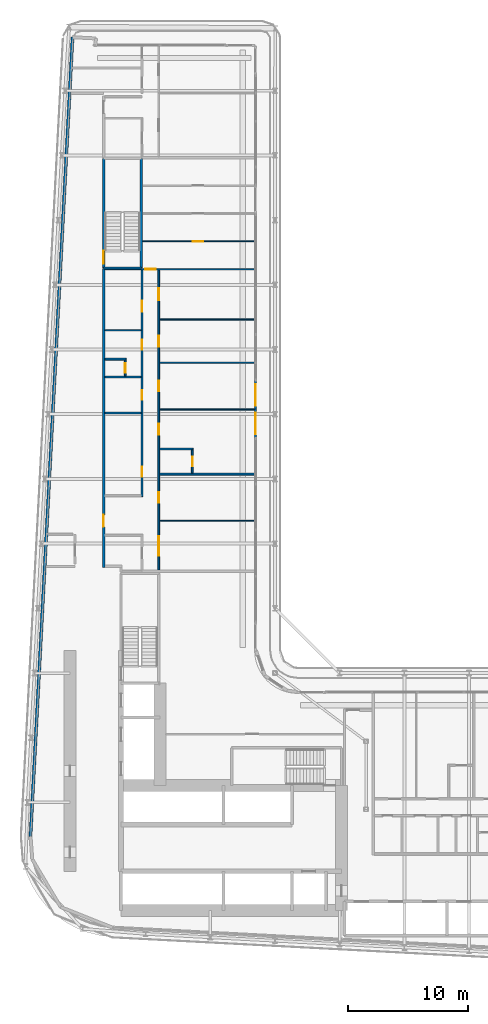
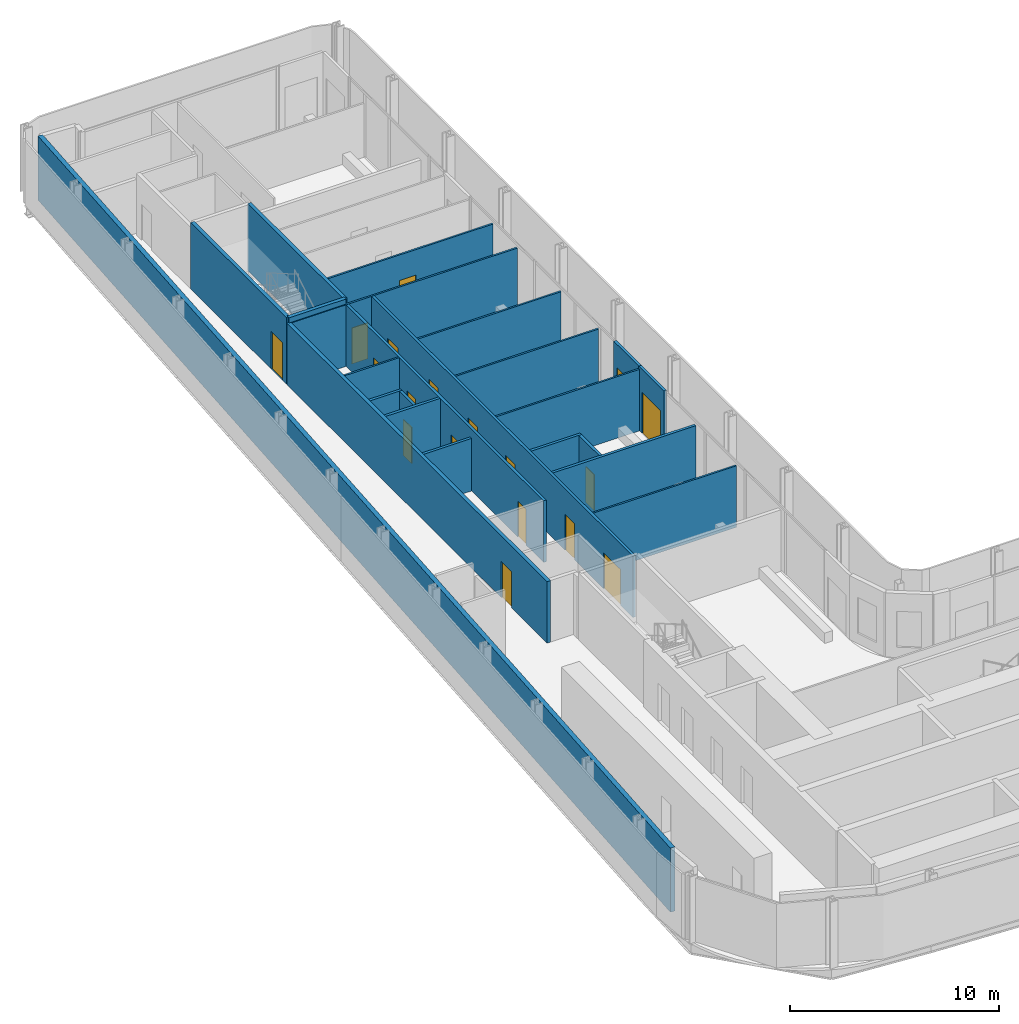
# One storey, part 18 of 29: 23 walls, 18 doors, 18 openings.
"""IFC4 building model written with IfcOpenShell, lengths in metres."""

from ifc_helpers import new_model, si_unit, direction, frame, frame_2d, origin, place, context, subcontext, project, spatial, rectangle, extrude, source, transform, mapped, material, layer, layer_set, type_object, element, fill, save


model = new_model("IFC4")

# Units and contexts
model_context = context("Model", 3, precision=1e-05, world=origin(), true_north=direction((0.0, 1.0)))
body_context = subcontext(model_context, "Body", "Model", "MODEL_VIEW")
ifc_project = project(units=[si_unit("LENGTHUNIT", "METRE"), si_unit("AREAUNIT", "SQUARE_METRE"), si_unit("VOLUMEUNIT", "CUBIC_METRE"), si_unit("PLANEANGLEUNIT", "RADIAN"), si_unit("MASSUNIT", "GRAM", prefix="KILO")], contexts=[model_context])

# Site, building, storey
site_placement = place(None, origin())
site = spatial("IfcSite", under=ifc_project, at=site_placement, CompositionType="ELEMENT")
building_placement = place(site_placement, origin())
building = spatial("IfcBuilding", under=site, at=building_placement, Name="Kheshtan School and Residences Tower", CompositionType="ELEMENT")
storey_placement = place(building_placement, frame((0.0, 0.0, 65.60009765625)))
storey = spatial("IfcBuildingStorey", under=building, at=storey_placement, Name="L15", CompositionType="ELEMENT", Elevation=65.60009765625)

# Wall, opening, door
ifc_material_1 = material(Name="Gypsum board on steel studs with fire boards", Category="steel")
ifc_layer_1 = layer(ifc_material_1, 0.199951171875)
ifc_layer_set_1 = layer_set([ifc_layer_1], Name="Corridor wall 200")
wall_type_1 = type_object("IfcWallType", Name="Corridor wall 200", PredefinedType="PARTITIONING", material=ifc_layer_set_1)
wall_1_placement = place(storey_placement, frame((33.300048828125, 54.39990234375, 0.0), z_axis=(0.0, 0.0, 1.0), x_axis=(0.0, 1.0, 0.0)))
wall_1 = element("IfcWall", 1, at=wall_1_placement, inside=storey, type_object=wall_type_1, Name="Partition L15-003", PredefinedType="PARTITIONING", context=body_context, shape_type="SweptSolid", body=[
    extrude(rectangle(XDim=24.9501953125, YDim=0.199951171875, at=frame_2d((12.47509765625, 0.0))), origin(), (0.0, 0.0, 1.0), 3.599853515625),
])
opening_1_placement = place(wall_1_placement, frame((3.39990234375, 0.0, 0.0)))
opening_1 = element("IfcOpeningElement", 2, at=opening_1_placement, cuts=wall_1, Name="Opening D14-039", PredefinedType="OPENING", context=body_context, shape_type="SweptSolid", body=[
    extrude(rectangle(XDim=1.0, YDim=2.10009765625, at=frame_2d((0.5, 1.050048828125))), frame((0.0, 0.10986328125, 0.0), z_axis=(0.0, -1.0, 0.0), x_axis=(1.0, 0.0, 0.0)), (0.0, 0.0, 1.0), 0.219970703125),
])
ifc_material_2 = material(Name="Steel-framed fire-resisting door leaf", Category="steel")
door_type_1 = type_object("IfcDoorType", Name="Fire door FD30S 1000 x 2100", OperationType="SINGLE_SWING_LEFT", PredefinedType="DOOR", material=ifc_material_2)
shared_shape_1 = source(origin(), body_context, "Body", "SweptSolid", [
    extrude(rectangle(XDim=1.0, YDim=2.10009765625, at=frame_2d((0.5, 1.050048828125))), frame((0.0, 0.02490234375, 0.0), z_axis=(0.0, -1.0, 0.0), x_axis=(1.0, 0.0, 0.0)), (0.0, 0.0, 1.0), 0.050048828125),
])
door_1_placement = place(opening_1_placement, origin())
door_1 = element("IfcDoor", 3, at=door_1_placement, inside=storey, type_object=door_type_1, Name="Door D14-039", OperationType="SINGLE_SWING_RIGHT", OverallHeight=2.10009765625, OverallWidth=1.0, PredefinedType="DOOR", context=body_context, shape_type="MappedRepresentation", body=[
    mapped(shared_shape_1, transform((0.0, 0.0, 0.0), x_axis=(1.0, 0.0, 0.0), y_axis=(0.0, 1.0, 0.0), z_axis=(0.0, 0.0, 1.0), scale=1.0)),
])
fill(opening_1, door_1)

# Wall
ifc_material_3 = material(Name="Concrete C40/50 with ceramic cladding and mineral wool insulation", Category="concrete")
ifc_layer_2 = layer(ifc_material_3, 0.25)
ifc_layer_set_2 = layer_set([ifc_layer_2], Name="External wall 250 ceramic clad")
wall_type_2 = type_object("IfcWallType", Name="External wall 250 ceramic clad", PredefinedType="SOLIDWALL", material=ifc_layer_set_2)
wall_2_placement = place(storey_placement, frame((27.195068359375, 31.968994140625, 0.0), z_axis=(0.0, 0.0, 1.0), x_axis=(0.052554995867, 0.998618031286, 0.0)))
element("IfcWall", 4, at=wall_2_placement, inside=storey, type_object=wall_type_2, Name="External wall L15 4", PredefinedType="SOLIDWALL", context=body_context, shape_type="SweptSolid", body=[
    extrude(rectangle(XDim=66.787353515625, YDim=0.25, at=frame_2d((33.3935546875, 0.0))), origin(), (0.0, 0.0, 1.0), 3.75),
])

# Wall, opening, door
ifc_material_4 = material(Name="Aluminium frame wall with insulated infill", Category="aluminium")
ifc_layer_3 = layer(ifc_material_4, 0.14990234375)
ifc_layer_set_3 = layer_set([ifc_layer_3], Name="Glazing frame wall 150")
wall_type_3 = type_object("IfcWallType", Name="Glazing frame wall 150", PredefinedType="SOLIDWALL", material=ifc_layer_set_3)
wall_3_placement = place(storey_placement, frame((45.97509765625, 70.01806640625, 0.0), z_axis=(0.0, 0.0, 1.0), x_axis=(0.0, -1.0, 0.0)))
wall_3 = element("IfcWall", 5, at=wall_3_placement, inside=storey, type_object=wall_type_3, Name="Balcony door wall L15 8.3", PredefinedType="SOLIDWALL", context=body_context, shape_type="SweptSolid", body=[
    extrude(rectangle(XDim=2.400146484375, YDim=0.14990234375, at=frame_2d((1.2001953125, 0.0))), origin(), (0.0, 0.0, 1.0), 3.75),
])
opening_2_placement = place(wall_3_placement, frame((0.300048828125, 0.0, 0.0)))
opening_2 = element("IfcOpeningElement", 6, at=opening_2_placement, cuts=wall_3, Name="Opening BD", PredefinedType="OPENING", context=body_context, shape_type="SweptSolid", body=[
    extrude(rectangle(XDim=1.800048828125, YDim=2.39990234375, at=frame_2d((0.89990234375, 1.199951171875))), frame((0.0, 0.0849609375, 0.0), z_axis=(0.0, -1.0, 0.0), x_axis=(1.0, 0.0, 0.0)), (0.0, 0.0, 1.0), 0.169921875),
])
ifc_material_5 = material(Name="Clear low-e glass in thermally broken aluminium frame", Category="aluminium")
door_type_2 = type_object("IfcDoorType", Name="Balcony sliding door", OperationType="SLIDING_TO_LEFT", PredefinedType="DOOR", material=ifc_material_5)
shared_shape_2 = source(origin(), body_context, "Body", "SweptSolid", [
    extrude(rectangle(XDim=1.800048828125, YDim=2.39990234375, at=frame_2d((0.89990234375, 1.199951171875))), frame((0.0, 0.02490234375, 0.0), z_axis=(0.0, -1.0, 0.0), x_axis=(1.0, 0.0, 0.0)), (0.0, 0.0, 1.0), 0.050048828125),
])
door_2_placement = place(opening_2_placement, origin())
door_2 = element("IfcDoor", 7, at=door_2_placement, inside=storey, type_object=door_type_2, Name="Balcony door L15 8.3", OperationType="SLIDING_TO_LEFT", OverallHeight=2.39990234375, OverallWidth=1.800048828125, PredefinedType="DOOR", context=body_context, shape_type="MappedRepresentation", body=[
    mapped(shared_shape_2, transform((0.0, 0.0, 0.0), x_axis=(1.0, 0.0, 0.0), y_axis=(0.0, 1.0, 0.0), z_axis=(0.0, 0.0, 1.0), scale=1.0)),
])
fill(opening_2, door_2)

wall_4_placement = place(storey_placement, frame((45.97509765625, 67.617919921875, 0.0), z_axis=(0.0, 0.0, 1.0), x_axis=(0.0, -1.0, 0.0)))
wall_4 = element("IfcWall", 8, at=wall_4_placement, inside=storey, type_object=wall_type_3, Name="Balcony door wall L15 8.4", PredefinedType="SOLIDWALL", context=body_context, shape_type="SweptSolid", body=[
    extrude(rectangle(XDim=2.39990234375, YDim=0.14990234375, at=frame_2d((1.199951171875, 0.0))), origin(), (0.0, 0.0, 1.0), 3.75),
])
opening_3_placement = place(wall_4_placement, frame((0.300048828125, 0.0, 0.0)))
opening_3 = element("IfcOpeningElement", 9, at=opening_3_placement, cuts=wall_4, Name="Opening BD", PredefinedType="OPENING", context=body_context, shape_type="SweptSolid", body=[
    extrude(rectangle(XDim=1.800048828125, YDim=2.39990234375, at=frame_2d((0.89990234375, 1.199951171875))), frame((0.0, 0.0849609375, 0.0), z_axis=(0.0, -1.0, 0.0), x_axis=(1.0, 0.0, 0.0)), (0.0, 0.0, 1.0), 0.169921875),
])
door_3_placement = place(opening_3_placement, origin())
door_3 = element("IfcDoor", 10, at=door_3_placement, inside=storey, type_object=door_type_2, Name="Balcony door L15 8.4", OperationType="SLIDING_TO_LEFT", OverallHeight=2.39990234375, OverallWidth=1.800048828125, PredefinedType="DOOR", context=body_context, shape_type="MappedRepresentation", body=[
    mapped(shared_shape_2, transform((0.0, 0.0, 0.0), x_axis=(1.0, 0.0, 0.0), y_axis=(0.0, 1.0, 0.0), z_axis=(0.0, 0.0, 1.0), scale=1.0)),
])
fill(opening_3, door_3)

# Wall
ifc_material_6 = material(Name="Gypsum board on steel studs", Category="steel")
ifc_layer_4 = layer(ifc_material_6, 0.10009765625)
ifc_layer_set_4 = layer_set([ifc_layer_4], Name="Gypsum partition 100")
wall_type_4 = type_object("IfcWallType", Name="Gypsum partition 100", PredefinedType="PARTITIONING", material=ifc_layer_set_4)
wall_5_placement = place(storey_placement, frame((33.39990234375, 74.199951171875, 0.0), z_axis=(0.0, 0.0, 1.0), x_axis=(1.0, 0.0, 0.0)))
element("IfcWall", 11, at=wall_5_placement, inside=storey, type_object=wall_type_4, Name="Partition L15-011", PredefinedType="PARTITIONING", context=body_context, shape_type="SweptSolid", body=[
    extrude(rectangle(XDim=3.025146484375, YDim=0.10009765625, at=frame_2d((1.5126953125, 0.0))), origin(), (0.0, 0.0, 1.0), 3.599853515625),
])

# Wall, opening, door
wall_6_placement = place(storey_placement, frame((33.39990234375, 79.300048828125, 0.0), z_axis=(0.0, 0.0, 1.0), x_axis=(1.0, 0.0, 0.0)))
wall_6 = element("IfcWall", 12, at=wall_6_placement, inside=storey, type_object=wall_type_4, Name="Partition L15-012", PredefinedType="PARTITIONING", context=body_context, shape_type="SweptSolid", body=[
    extrude(rectangle(XDim=12.5, YDim=0.10009765625, at=frame_2d((6.25, 0.0))), origin(), (0.0, 0.0, 1.0), 3.599853515625),
])
opening_4_placement = place(wall_6_placement, frame((3.35498046875, 0.0, 0.0)))
opening_4 = element("IfcOpeningElement", 13, at=opening_4_placement, cuts=wall_6, Name="Opening D14-047", PredefinedType="OPENING", context=body_context, shape_type="SweptSolid", body=[
    extrude(rectangle(XDim=0.89990234375, YDim=2.10009765625, at=frame_2d((0.449951171875, 1.050048828125))), frame((0.0, 0.06005859375, 0.0), z_axis=(0.0, -1.0, 0.0), x_axis=(1.0, 0.0, 0.0)), (0.0, 0.0, 1.0), 0.1201171875),
])
ifc_material_7 = material(Name="Veneered timber door leaf", Category="wood")
door_type_3 = type_object("IfcDoorType", Name="Door 900 x 2100", OperationType="SINGLE_SWING_LEFT", PredefinedType="DOOR", material=ifc_material_7)
shared_shape_3 = source(origin(), body_context, "Body", "SweptSolid", [
    extrude(rectangle(XDim=0.89990234375, YDim=2.10009765625, at=frame_2d((0.449951171875, 1.050048828125))), frame((0.0, 0.02490234375, 0.0), z_axis=(0.0, -1.0, 0.0), x_axis=(1.0, 0.0, 0.0)), (0.0, 0.0, 1.0), 0.050048828125),
])
door_4_placement = place(opening_4_placement, origin())
door_4 = element("IfcDoor", 14, at=door_4_placement, inside=storey, type_object=door_type_3, Name="Door D14-047", OperationType="SINGLE_SWING_LEFT", OverallHeight=2.10009765625, OverallWidth=0.89990234375, PredefinedType="DOOR", context=body_context, shape_type="MappedRepresentation", body=[
    mapped(shared_shape_3, transform((0.0, 0.0, 0.0), x_axis=(1.0, 0.0, 0.0), y_axis=(0.0, 1.0, 0.0), z_axis=(0.0, 0.0, 1.0), scale=1.0)),
])
fill(opening_4, door_4)

wall_7_placement = place(storey_placement, frame((36.549072265625, 81.625, 0.0), z_axis=(0.0, 0.0, 1.0), x_axis=(1.0, 0.0, 0.0)))
wall_7 = element("IfcWall", 15, at=wall_7_placement, inside=storey, type_object=wall_type_4, Name="Partition L15-024", PredefinedType="PARTITIONING", context=body_context, shape_type="SweptSolid", body=[
    extrude(rectangle(XDim=9.350830078125, YDim=0.10009765625, at=frame_2d((4.67529296875, 0.0))), origin(), (0.0, 0.0, 1.0), 3.599853515625),
])
opening_5_placement = place(wall_7_placement, frame((4.176025390625, 0.0, 0.0)))
opening_5 = element("IfcOpeningElement", 16, at=opening_5_placement, cuts=wall_7, Name="Opening D14-048", PredefinedType="OPENING", context=body_context, shape_type="SweptSolid", body=[
    extrude(rectangle(XDim=0.89990234375, YDim=2.10009765625, at=frame_2d((0.449951171875, 1.050048828125))), frame((0.0, 0.06005859375, 0.0), z_axis=(0.0, -1.0, 0.0), x_axis=(1.0, 0.0, 0.0)), (0.0, 0.0, 1.0), 0.1201171875),
])
door_5_placement = place(opening_5_placement, origin())
door_5 = element("IfcDoor", 17, at=door_5_placement, inside=storey, type_object=door_type_3, Name="Door D14-048", OperationType="SINGLE_SWING_RIGHT", OverallHeight=2.10009765625, OverallWidth=0.89990234375, PredefinedType="DOOR", context=body_context, shape_type="MappedRepresentation", body=[
    mapped(shared_shape_3, transform((0.0, 0.0, 0.0), x_axis=(1.0, 0.0, 0.0), y_axis=(0.0, 1.0, 0.0), z_axis=(0.0, 0.0, 1.0), scale=1.0)),
])
fill(opening_5, door_5)

# Walls
for number, where, z_axis, x_axis, name in (
    (18, (37.97509765625, 58.300048828125, 0.0), (0.0, 0.0, 1.0), (1.0, 0.0, 0.0), "Partition L15-030"),
    (19, (37.97509765625, 67.60009765625, 0.0), (0.0, 0.0, 1.0), (1.0, 0.0, 0.0), "Partition L15-033"),
    (20, (37.97509765625, 71.5, 0.0), (0.0, 0.0, 1.0), (1.0, 0.0, 0.0), "Partition L15-034"),
    (21, (37.97509765625, 75.10009765625, 0.0), (0.0, 0.0, 1.0), (1.0, 0.0, 0.0), "Partition L15-035"),
):
    element("IfcWall", number, at=place(storey_placement, frame(where, z_axis=z_axis, x_axis=x_axis)), inside=storey, type_object=wall_type_4, Name=name, PredefinedType="PARTITIONING", context=body_context, shape_type="SweptSolid", body=[
        extrude(rectangle(XDim=7.9248046875, YDim=0.10009765625, at=frame_2d((3.96240234375, 0.0))), origin(), (0.0, 0.0, 1.0), 3.599853515625),
    ])
ifc_material_8 = material(Name="Concrete C40/50", Category="concrete")
ifc_layer_5 = layer(ifc_material_8, 0.199951171875)
ifc_layer_set_5 = layer_set([ifc_layer_5], Name="Stair enclosure wall 200 Concrete C40/50")
wall_type_5 = type_object("IfcWallType", Name="Stair enclosure wall 200 Concrete C40/50", PredefinedType="SHEAR", material=ifc_layer_set_5)
wall_8_placement = place(storey_placement, frame((33.300048828125, 79.39990234375, 0.0), z_axis=(0.0, 0.0, 1.0), x_axis=(1.0, 0.0, 0.0)))
element("IfcWall", 22, at=wall_8_placement, inside=storey, type_object=wall_type_5, Name="Stair enclosure wall ST3", PredefinedType="SHEAR", context=body_context, shape_type="SweptSolid", body=[
    extrude(rectangle(XDim=3.14990234375, YDim=0.199951171875, at=frame_2d((1.574951171875, 0.0))), origin(), (0.0, 0.0, 1.0), 3.89990234375),
])

# Wall, opening, door
wall_9_placement = place(storey_placement, frame((33.300048828125, 79.39990234375, 0.0), z_axis=(0.0, 0.0, 1.0), x_axis=(0.0, 1.0, 0.0)))
wall_9 = element("IfcWall", 23, at=wall_9_placement, inside=storey, type_object=wall_type_5, Name="Stair enclosure wall ST3", PredefinedType="SHEAR", context=body_context, shape_type="SweptSolid", body=[
    extrude(rectangle(XDim=9.16015625, YDim=0.199951171875, at=frame_2d((4.580078125, 0.0))), origin(), (0.0, 0.0, 1.0), 3.89990234375),
])
opening_6_placement = place(wall_9_placement, frame((0.35009765625, 0.0, 0.0)))
opening_6 = element("IfcOpeningElement", 24, at=opening_6_placement, cuts=wall_9, Name="Opening ST3D", PredefinedType="OPENING", context=body_context, shape_type="SweptSolid", body=[
    extrude(rectangle(XDim=1.10009765625, YDim=2.199951171875, at=frame_2d((0.550048828125, 1.10009765625))), frame((0.0, 0.10986328125, 0.0), z_axis=(0.0, -1.0, 0.0), x_axis=(1.0, 0.0, 0.0)), (0.0, 0.0, 1.0), 0.219970703125),
])
ifc_material_9 = material(Name="Steel door leaf, galvanised", Category="steel")
door_type_4 = type_object("IfcDoorType", Name="Stair door 1100 steel 90 min", OperationType="SINGLE_SWING_LEFT", PredefinedType="DOOR", material=ifc_material_9)
shared_shape_4 = source(origin(), body_context, "Body", "SweptSolid", [
    extrude(rectangle(XDim=1.10009765625, YDim=2.199951171875, at=frame_2d((0.550048828125, 1.10009765625))), frame((0.0, 0.02490234375, 0.0), z_axis=(0.0, -1.0, 0.0), x_axis=(1.0, 0.0, 0.0)), (0.0, 0.0, 1.0), 0.050048828125),
])
door_6_placement = place(opening_6_placement, origin())
door_6 = element("IfcDoor", 25, at=door_6_placement, inside=storey, type_object=door_type_4, Name="Stair ST3 door", OperationType="SINGLE_SWING_RIGHT", OverallHeight=2.199951171875, OverallWidth=1.10009765625, PredefinedType="DOOR", context=body_context, shape_type="MappedRepresentation", body=[
    mapped(shared_shape_4, transform((0.0, 0.0, 0.0), x_axis=(1.0, 0.0, 0.0), y_axis=(0.0, 1.0, 0.0), z_axis=(0.0, 0.0, 1.0), scale=1.0)),
])
fill(opening_6, door_6)

# Walls
wall_10_placement = place(storey_placement, frame((36.449951171875, 79.39990234375, 0.0), z_axis=(0.0, 0.0, 1.0), x_axis=(0.0, 1.0, 0.0)))
element("IfcWall", 26, at=wall_10_placement, inside=storey, type_object=wall_type_5, Name="Stair enclosure wall ST3", PredefinedType="SHEAR", context=body_context, shape_type="SweptSolid", body=[
    extrude(rectangle(XDim=9.16015625, YDim=0.199951171875, at=frame_2d((4.580078125, 0.0))), origin(), (0.0, 0.0, 1.0), 3.89990234375),
])
ifc_material_10 = material(Name="Moisture-resistant gypsum board on steel studs", Category="steel")
ifc_layer_6 = layer(ifc_material_10, 0.14990234375)
ifc_layer_set_6 = layer_set([ifc_layer_6], Name="Wet-room partition 150")
wall_type_6 = type_object("IfcWallType", Name="Wet-room partition 150", PredefinedType="PARTITIONING", material=ifc_layer_set_6)
wall_11_placement = place(storey_placement, frame((33.39990234375, 67.300048828125, 0.0), z_axis=(0.0, 0.0, 1.0), x_axis=(1.0, 0.0, 0.0)))
element("IfcWall", 27, at=wall_11_placement, inside=storey, type_object=wall_type_6, Name="Partition L15-008", PredefinedType="PARTITIONING", context=body_context, shape_type="SweptSolid", body=[
    extrude(rectangle(XDim=3.025146484375, YDim=0.14990234375, at=frame_2d((1.5126953125, 0.0))), origin(), (0.0, 0.0, 1.0), 3.072021484375),
])
wall_12_placement = place(storey_placement, frame((33.39990234375, 70.300048828125, 0.0), z_axis=(0.0, 0.0, 1.0), x_axis=(1.0, 0.0, 0.0)))
element("IfcWall", 28, at=wall_12_placement, inside=storey, type_object=wall_type_6, Name="Partition L15-009", PredefinedType="PARTITIONING", context=body_context, shape_type="SweptSolid", body=[
    extrude(rectangle(XDim=3.025146484375, YDim=0.14990234375, at=frame_2d((1.5126953125, 0.0))), origin(), (0.0, 0.0, 1.0), 3.599853515625),
])
wall_13_placement = place(storey_placement, frame((33.39990234375, 71.800048828125, 0.0), z_axis=(0.0, 0.0, 1.0), x_axis=(1.0, 0.0, 0.0)))
element("IfcWall", 29, at=wall_13_placement, inside=storey, type_object=wall_type_6, Name="Partition L15-010", PredefinedType="PARTITIONING", context=body_context, shape_type="SweptSolid", body=[
    extrude(rectangle(XDim=1.775146484375, YDim=0.14990234375, at=frame_2d((0.8876953125, 0.0))), origin(), (0.0, 0.0, 1.0), 3.599853515625),
])

# Wall, opening, door
wall_14_placement = place(storey_placement, frame((35.10009765625, 70.375, 0.0), z_axis=(0.0, 0.0, 1.0), x_axis=(0.0, 1.0, 0.0)))
wall_14 = element("IfcWall", 30, at=wall_14_placement, inside=storey, type_object=wall_type_6, Name="Partition L15-017", PredefinedType="PARTITIONING", context=body_context, shape_type="SweptSolid", body=[
    extrude(rectangle(XDim=1.35009765625, YDim=0.14990234375, at=frame_2d((0.675048828125, 0.0))), origin(), (0.0, 0.0, 1.0), 3.599853515625),
])
opening_7_placement = place(wall_14_placement, frame((0.27490234375, 0.0, 0.0)))
opening_7 = element("IfcOpeningElement", 31, at=opening_7_placement, cuts=wall_14, Name="Opening D14-043", PredefinedType="OPENING", context=body_context, shape_type="SweptSolid", body=[
    extrude(rectangle(XDim=0.800048828125, YDim=2.10009765625, at=frame_2d((0.39990234375, 1.050048828125))), frame((0.0, 0.0849609375, 0.0), z_axis=(0.0, -1.0, 0.0), x_axis=(1.0, 0.0, 0.0)), (0.0, 0.0, 1.0), 0.169921875),
])
door_type_5 = type_object("IfcDoorType", Name="Door 800 x 2100", OperationType="SINGLE_SWING_LEFT", PredefinedType="DOOR", material=ifc_material_7)
shared_shape_5 = source(origin(), body_context, "Body", "SweptSolid", [
    extrude(rectangle(XDim=0.800048828125, YDim=2.10009765625, at=frame_2d((0.39990234375, 1.050048828125))), frame((0.0, 0.02490234375, 0.0), z_axis=(0.0, -1.0, 0.0), x_axis=(1.0, 0.0, 0.0)), (0.0, 0.0, 1.0), 0.050048828125),
])
door_7_placement = place(opening_7_placement, origin())
door_7 = element("IfcDoor", 32, at=door_7_placement, inside=storey, type_object=door_type_5, Name="Door D14-043", OperationType="SINGLE_SWING_LEFT", OverallHeight=2.10009765625, OverallWidth=0.800048828125, PredefinedType="DOOR", context=body_context, shape_type="MappedRepresentation", body=[
    mapped(shared_shape_5, transform((0.0, 0.0, 0.0), x_axis=(1.0, 0.0, 0.0), y_axis=(0.0, 1.0, 0.0), z_axis=(0.0, 0.0, 1.0), scale=1.0)),
])
fill(opening_7, door_7)

# Wall, openings, doors
wall_15_placement = place(storey_placement, frame((36.5, 60.324951171875, 0.0), z_axis=(0.0, 0.0, 1.0), x_axis=(0.0, 1.0, 0.0)))
wall_15 = element("IfcWall", 33, at=wall_15_placement, inside=storey, type_object=wall_type_6, Name="Partition L15-021", PredefinedType="PARTITIONING", context=body_context, shape_type="SweptSolid", body=[
    extrude(rectangle(XDim=18.925048828125, YDim=0.14990234375, at=frame_2d((9.46240234375, 0.0))), origin(), (0.0, 0.0, 1.0), 3.599853515625),
])
opening_8_placement = place(wall_15_placement, frame((8.074951171875, 0.0, 0.0)))
opening_8 = element("IfcOpeningElement", 34, at=opening_8_placement, cuts=wall_15, Name="Opening D14-034", PredefinedType="OPENING", context=body_context, shape_type="SweptSolid", body=[
    extrude(rectangle(XDim=0.800048828125, YDim=2.10009765625, at=frame_2d((0.39990234375, 1.050048828125))), frame((0.0, 0.0849609375, 0.0), z_axis=(0.0, -1.0, 0.0), x_axis=(1.0, 0.0, 0.0)), (0.0, 0.0, 1.0), 0.169921875),
])
opening_9_placement = place(wall_15_placement, frame((15.425048828125, 0.0, 0.0)))
opening_9 = element("IfcOpeningElement", 35, at=opening_9_placement, cuts=wall_15, Name="Opening D14-040", PredefinedType="OPENING", context=body_context, shape_type="SweptSolid", body=[
    extrude(rectangle(XDim=0.89990234375, YDim=2.10009765625, at=frame_2d((0.449951171875, 1.050048828125))), frame((0.0, 0.0849609375, 0.0), z_axis=(0.0, -1.0, 0.0), x_axis=(1.0, 0.0, 0.0)), (0.0, 0.0, 1.0), 0.169921875),
])
opening_10_placement = place(wall_15_placement, frame((12.27490234375, 0.0, 0.0)))
opening_10 = element("IfcOpeningElement", 36, at=opening_10_placement, cuts=wall_15, Name="Opening D14-042", PredefinedType="OPENING", context=body_context, shape_type="SweptSolid", body=[
    extrude(rectangle(XDim=0.800048828125, YDim=2.10009765625, at=frame_2d((0.39990234375, 1.050048828125))), frame((0.0, 0.0849609375, 0.0), z_axis=(0.0, -1.0, 0.0), x_axis=(1.0, 0.0, 0.0)), (0.0, 0.0, 1.0), 0.169921875),
])
opening_11_placement = place(wall_15_placement, frame((1.675048828125, 0.0, 0.0)))
opening_11 = element("IfcOpeningElement", 37, at=opening_11_placement, cuts=wall_15, Name="Opening D14-046", PredefinedType="OPENING", context=body_context, shape_type="SweptSolid", body=[
    extrude(rectangle(XDim=0.800048828125, YDim=2.10009765625, at=frame_2d((0.39990234375, 1.050048828125))), frame((0.0, 0.0849609375, 0.0), z_axis=(0.0, -1.0, 0.0), x_axis=(1.0, 0.0, 0.0)), (0.0, 0.0, 1.0), 0.169921875),
])
door_8_placement = place(opening_8_placement, origin())
door_8 = element("IfcDoor", 38, at=door_8_placement, inside=storey, type_object=door_type_5, Name="Door D14-034", OperationType="SINGLE_SWING_LEFT", OverallHeight=2.10009765625, OverallWidth=0.800048828125, PredefinedType="DOOR", context=body_context, shape_type="MappedRepresentation", body=[
    mapped(shared_shape_5, transform((0.0, 0.0, 0.0), x_axis=(1.0, 0.0, 0.0), y_axis=(0.0, 1.0, 0.0), z_axis=(0.0, 0.0, 1.0), scale=1.0)),
])
fill(opening_8, door_8)
door_9_placement = place(opening_10_placement, origin())
door_9 = element("IfcDoor", 39, at=door_9_placement, inside=storey, type_object=door_type_5, Name="Door D14-042", OperationType="SINGLE_SWING_RIGHT", OverallHeight=2.10009765625, OverallWidth=0.800048828125, PredefinedType="DOOR", context=body_context, shape_type="MappedRepresentation", body=[
    mapped(shared_shape_5, transform((0.0, 0.0, 0.0), x_axis=(1.0, 0.0, 0.0), y_axis=(0.0, 1.0, 0.0), z_axis=(0.0, 0.0, 1.0), scale=1.0)),
])
fill(opening_10, door_9)
door_10_placement = place(opening_11_placement, origin())
door_10 = element("IfcDoor", 40, at=door_10_placement, inside=storey, type_object=door_type_5, Name="Door D14-046", OperationType="SINGLE_SWING_LEFT", OverallHeight=2.10009765625, OverallWidth=0.800048828125, PredefinedType="DOOR", context=body_context, shape_type="MappedRepresentation", body=[
    mapped(shared_shape_5, transform((0.0, 0.0, 0.0), x_axis=(1.0, 0.0, 0.0), y_axis=(0.0, 1.0, 0.0), z_axis=(0.0, 0.0, 1.0), scale=1.0)),
])
fill(opening_11, door_10)
door_11_placement = place(opening_9_placement, origin())
door_11 = element("IfcDoor", 41, at=door_11_placement, inside=storey, type_object=door_type_3, Name="Door D14-040", OperationType="SINGLE_SWING_RIGHT", OverallHeight=2.10009765625, OverallWidth=0.89990234375, PredefinedType="DOOR", context=body_context, shape_type="MappedRepresentation", body=[
    mapped(shared_shape_3, transform((0.0, 0.0, 0.0), x_axis=(1.0, 0.0, 0.0), y_axis=(0.0, 1.0, 0.0), z_axis=(0.0, 0.0, 1.0), scale=1.0)),
])
fill(opening_9, door_11)

wall_16_placement = place(storey_placement, frame((37.89990234375, 54.199951171875, 0.0), z_axis=(0.0, 0.0, 1.0), x_axis=(0.0, 1.0, 0.0)))
wall_16 = element("IfcWall", 42, at=wall_16_placement, inside=storey, type_object=wall_type_6, Name="Partition L15-027", PredefinedType="PARTITIONING", context=body_context, shape_type="SweptSolid", body=[
    extrude(rectangle(XDim=25.050048828125, YDim=0.14990234375, at=frame_2d((12.52490234375, 0.0))), origin(), (0.0, 0.0, 1.0), 3.599853515625),
])
opening_12_placement = place(wall_16_placement, frame((5.60009765625, 0.0, 0.0)))
opening_12 = element("IfcOpeningElement", 43, at=opening_12_placement, cuts=wall_16, Name="Opening D14-035", PredefinedType="OPENING", context=body_context, shape_type="SweptSolid", body=[
    extrude(rectangle(XDim=0.89990234375, YDim=2.10009765625, at=frame_2d((0.449951171875, 1.050048828125))), frame((0.0, 0.0849609375, 0.0), z_axis=(0.0, -1.0, 0.0), x_axis=(1.0, 0.0, 0.0)), (0.0, 0.0, 1.0), 0.169921875),
])
opening_13_placement = place(wall_16_placement, frame((14.89990234375, 0.0, 0.0)))
opening_13 = element("IfcOpeningElement", 44, at=opening_13_placement, cuts=wall_16, Name="Opening D14-036", PredefinedType="OPENING", context=body_context, shape_type="SweptSolid", body=[
    extrude(rectangle(XDim=0.89990234375, YDim=2.10009765625, at=frame_2d((0.449951171875, 1.050048828125))), frame((0.0, 0.0849609375, 0.0), z_axis=(0.0, -1.0, 0.0), x_axis=(1.0, 0.0, 0.0)), (0.0, 0.0, 1.0), 0.169921875),
])
opening_14_placement = place(wall_16_placement, frame((18.64990234375, 0.0, 0.0)))
opening_14 = element("IfcOpeningElement", 45, at=opening_14_placement, cuts=wall_16, Name="Opening D14-037", PredefinedType="OPENING", context=body_context, shape_type="SweptSolid", body=[
    extrude(rectangle(XDim=0.89990234375, YDim=2.10009765625, at=frame_2d((0.449951171875, 1.050048828125))), frame((0.0, 0.0849609375, 0.0), z_axis=(0.0, -1.0, 0.0), x_axis=(1.0, 0.0, 0.0)), (0.0, 0.0, 1.0), 0.169921875),
])
opening_15_placement = place(wall_16_placement, frame((22.5, 0.0, 0.0)))
opening_15 = element("IfcOpeningElement", 46, at=opening_15_placement, cuts=wall_16, Name="Opening D14-041", PredefinedType="OPENING", context=body_context, shape_type="SweptSolid", body=[
    extrude(rectangle(XDim=1.0, YDim=2.10009765625, at=frame_2d((0.5, 1.050048828125))), frame((0.0, 0.0849609375, 0.0), z_axis=(0.0, -1.0, 0.0), x_axis=(1.0, 0.0, 0.0)), (0.0, 0.0, 1.0), 0.169921875),
])
opening_16_placement = place(wall_16_placement, frame((1.199951171875, 0.0, 0.0)))
opening_16 = element("IfcOpeningElement", 47, at=opening_16_placement, cuts=wall_16, Name="Opening D14-044", PredefinedType="OPENING", context=body_context, shape_type="SweptSolid", body=[
    extrude(rectangle(XDim=1.60009765625, YDim=2.10009765625, at=frame_2d((0.800048828125, 1.050048828125))), frame((0.0, 0.0849609375, 0.0), z_axis=(0.0, -1.0, 0.0), x_axis=(1.0, 0.0, 0.0)), (0.0, 0.0, 1.0), 0.169921875),
])
opening_17_placement = place(wall_16_placement, frame((11.300048828125, 0.0, 0.0)))
opening_17 = element("IfcOpeningElement", 48, at=opening_17_placement, cuts=wall_16, Name="Opening D14-045", PredefinedType="OPENING", context=body_context, shape_type="SweptSolid", body=[
    extrude(rectangle(XDim=0.89990234375, YDim=2.10009765625, at=frame_2d((0.449951171875, 1.050048828125))), frame((0.0, 0.0849609375, 0.0), z_axis=(0.0, -1.0, 0.0), x_axis=(1.0, 0.0, 0.0)), (0.0, 0.0, 1.0), 0.169921875),
])
door_type_6 = type_object("IfcDoorType", Name="Door 1000 x 2100", OperationType="SINGLE_SWING_LEFT", PredefinedType="DOOR", material=ifc_material_7)
shared_shape_6 = source(origin(), body_context, "Body", "SweptSolid", [
    extrude(rectangle(XDim=1.0, YDim=2.10009765625, at=frame_2d((0.5, 1.050048828125))), frame((0.0, 0.02490234375, 0.0), z_axis=(0.0, -1.0, 0.0), x_axis=(1.0, 0.0, 0.0)), (0.0, 0.0, 1.0), 0.050048828125),
])
door_12_placement = place(opening_15_placement, origin())
door_12 = element("IfcDoor", 49, at=door_12_placement, inside=storey, type_object=door_type_6, Name="Door D14-041", OperationType="SINGLE_SWING_RIGHT", OverallHeight=2.10009765625, OverallWidth=1.0, PredefinedType="DOOR", context=body_context, shape_type="MappedRepresentation", body=[
    mapped(shared_shape_6, transform((0.0, 0.0, 0.0), x_axis=(1.0, 0.0, 0.0), y_axis=(0.0, 1.0, 0.0), z_axis=(0.0, 0.0, 1.0), scale=1.0)),
])
fill(opening_15, door_12)
door_13_placement = place(opening_12_placement, origin())
door_13 = element("IfcDoor", 50, at=door_13_placement, inside=storey, type_object=door_type_3, Name="Door D14-035", OperationType="SINGLE_SWING_LEFT", OverallHeight=2.10009765625, OverallWidth=0.89990234375, PredefinedType="DOOR", context=body_context, shape_type="MappedRepresentation", body=[
    mapped(shared_shape_3, transform((0.0, 0.0, 0.0), x_axis=(1.0, 0.0, 0.0), y_axis=(0.0, 1.0, 0.0), z_axis=(0.0, 0.0, 1.0), scale=1.0)),
])
fill(opening_12, door_13)
door_14_placement = place(opening_13_placement, origin())
door_14 = element("IfcDoor", 51, at=door_14_placement, inside=storey, type_object=door_type_3, Name="Door D14-036", OperationType="SINGLE_SWING_RIGHT", OverallHeight=2.10009765625, OverallWidth=0.89990234375, PredefinedType="DOOR", context=body_context, shape_type="MappedRepresentation", body=[
    mapped(shared_shape_3, transform((0.0, 0.0, 0.0), x_axis=(1.0, 0.0, 0.0), y_axis=(0.0, 1.0, 0.0), z_axis=(0.0, 0.0, 1.0), scale=1.0)),
])
fill(opening_13, door_14)
door_15_placement = place(opening_14_placement, origin())
door_15 = element("IfcDoor", 52, at=door_15_placement, inside=storey, type_object=door_type_3, Name="Door D14-037", OperationType="SINGLE_SWING_LEFT", OverallHeight=2.10009765625, OverallWidth=0.89990234375, PredefinedType="DOOR", context=body_context, shape_type="MappedRepresentation", body=[
    mapped(shared_shape_3, transform((0.0, 0.0, 0.0), x_axis=(1.0, 0.0, 0.0), y_axis=(0.0, 1.0, 0.0), z_axis=(0.0, 0.0, 1.0), scale=1.0)),
])
fill(opening_14, door_15)
door_16_placement = place(opening_17_placement, origin())
door_16 = element("IfcDoor", 53, at=door_16_placement, inside=storey, type_object=door_type_3, Name="Door D14-045", OperationType="SINGLE_SWING_RIGHT", OverallHeight=2.10009765625, OverallWidth=0.89990234375, PredefinedType="DOOR", context=body_context, shape_type="MappedRepresentation", body=[
    mapped(shared_shape_3, transform((0.0, 0.0, 0.0), x_axis=(1.0, 0.0, 0.0), y_axis=(0.0, 1.0, 0.0), z_axis=(0.0, 0.0, 1.0), scale=1.0)),
])
fill(opening_17, door_16)
door_type_7 = type_object("IfcDoorType", Name="Double door 1600 x 2100", OperationType="DOUBLE_DOOR_SINGLE_SWING", PredefinedType="DOOR", material=ifc_material_7)
shared_shape_7 = source(origin(), body_context, "Body", "SweptSolid", [
    extrude(rectangle(XDim=1.60009765625, YDim=2.10009765625, at=frame_2d((0.800048828125, 1.050048828125))), frame((0.0, 0.02490234375, 0.0), z_axis=(0.0, -1.0, 0.0), x_axis=(1.0, 0.0, 0.0)), (0.0, 0.0, 1.0), 0.050048828125),
])
door_17_placement = place(opening_16_placement, origin())
door_17 = element("IfcDoor", 54, at=door_17_placement, inside=storey, type_object=door_type_7, Name="Door D14-044", OperationType="DOUBLE_DOOR_SINGLE_SWING", OverallHeight=2.10009765625, OverallWidth=1.60009765625, PredefinedType="DOOR", context=body_context, shape_type="MappedRepresentation", body=[
    mapped(shared_shape_7, transform((0.0, 0.0, 0.0), x_axis=(1.0, 0.0, 0.0), y_axis=(0.0, 1.0, 0.0), z_axis=(0.0, 0.0, 1.0), scale=1.0)),
])
fill(opening_16, door_17)

# Walls
wall_17_placement = place(storey_placement, frame((37.97509765625, 62.199951171875, 0.0), z_axis=(0.0, 0.0, 1.0), x_axis=(1.0, 0.0, 0.0)))
element("IfcWall", 55, at=wall_17_placement, inside=storey, type_object=wall_type_6, Name="Partition L15-031", PredefinedType="PARTITIONING", context=body_context, shape_type="SweptSolid", body=[
    extrude(rectangle(XDim=7.9248046875, YDim=0.14990234375, at=frame_2d((3.96240234375, 0.0))), origin(), (0.0, 0.0, 1.0), 3.599853515625),
])
wall_18_placement = place(storey_placement, frame((37.97509765625, 64.300048828125, 0.0), z_axis=(0.0, 0.0, 1.0), x_axis=(1.0, 0.0, 0.0)))
element("IfcWall", 56, at=wall_18_placement, inside=storey, type_object=wall_type_6, Name="Partition L15-032", PredefinedType="PARTITIONING", context=body_context, shape_type="SweptSolid", body=[
    extrude(rectangle(XDim=2.7998046875, YDim=0.14990234375, at=frame_2d((1.39990234375, 0.0))), origin(), (0.0, 0.0, 1.0), 3.599853515625),
])

# Wall, opening, door
wall_19_placement = place(storey_placement, frame((40.699951171875, 62.27490234375, 0.0), z_axis=(0.0, 0.0, 1.0), x_axis=(0.0, 1.0, 0.0)))
wall_19 = element("IfcWall", 57, at=wall_19_placement, inside=storey, type_object=wall_type_6, Name="Partition L15-037", PredefinedType="PARTITIONING", context=body_context, shape_type="SweptSolid", body=[
    extrude(rectangle(XDim=1.9501953125, YDim=0.14990234375, at=frame_2d((0.97509765625, 0.0))), origin(), (0.0, 0.0, 1.0), 3.599853515625),
])
opening_18_placement = place(wall_19_placement, frame((0.574951171875, 0.0, 0.0)))
opening_18 = element("IfcOpeningElement", 58, at=opening_18_placement, cuts=wall_19, Name="Opening D14-038", PredefinedType="OPENING", context=body_context, shape_type="SweptSolid", body=[
    extrude(rectangle(XDim=0.800048828125, YDim=2.10009765625, at=frame_2d((0.39990234375, 1.050048828125))), frame((0.0, 0.0849609375, 0.0), z_axis=(0.0, -1.0, 0.0), x_axis=(1.0, 0.0, 0.0)), (0.0, 0.0, 1.0), 0.169921875),
])
door_18_placement = place(opening_18_placement, origin())
door_18 = element("IfcDoor", 59, at=door_18_placement, inside=storey, type_object=door_type_5, Name="Door D14-038", OperationType="SINGLE_SWING_RIGHT", OverallHeight=2.10009765625, OverallWidth=0.800048828125, PredefinedType="DOOR", context=body_context, shape_type="MappedRepresentation", body=[
    mapped(shared_shape_5, transform((0.0, 0.0, 0.0), x_axis=(1.0, 0.0, 0.0), y_axis=(0.0, 1.0, 0.0), z_axis=(0.0, 0.0, 1.0), scale=1.0)),
])
fill(opening_18, door_18)

save(model, "model.ifc")
